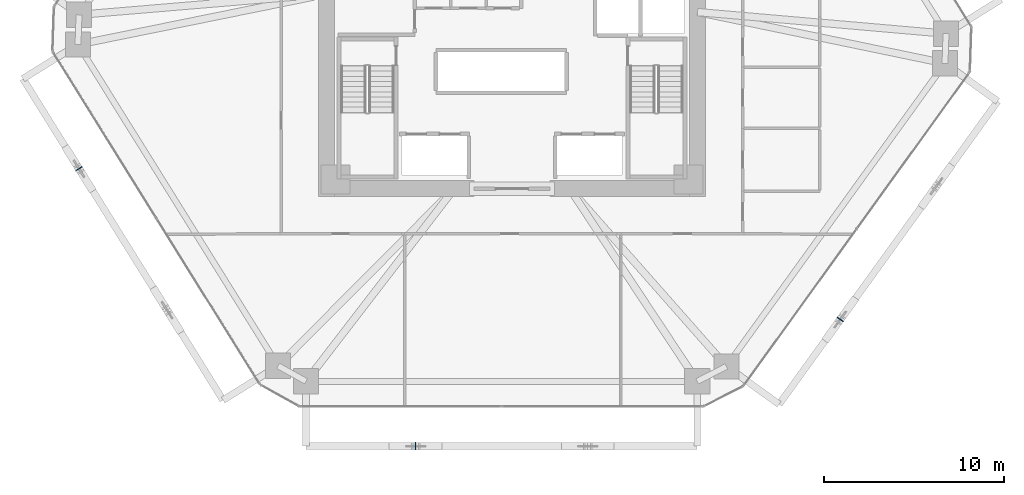
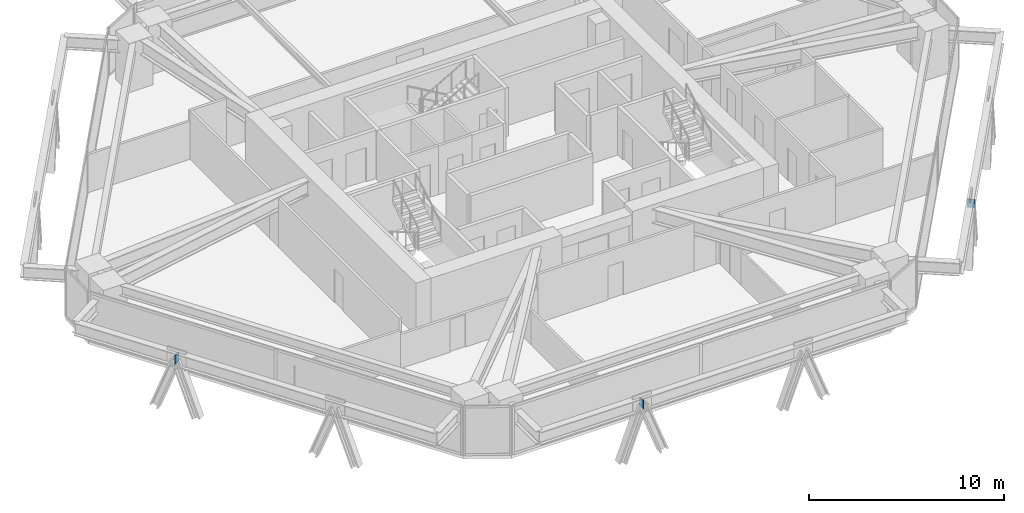
# One storey, part 11 of 16: 3 plates.
"""IFC4 building model written with IfcOpenShell, lengths in metres."""

from ifc_helpers import new_model, si_unit, direction, frame, origin, origin_2d, place, context, subcontext, project, spatial, rectangle, extrude, source, transform, mapped, material, layer, layer_set, type_object, type_shapes, element, save


model = new_model("IFC4")

# Units and contexts
model_context = context("Model", 3, precision=1e-05, world=origin(), true_north=direction((0.0, 1.0)))
body_context = subcontext(model_context, "Body", "Model", "MODEL_VIEW")
ifc_project = project(units=[si_unit("LENGTHUNIT", "METRE"), si_unit("AREAUNIT", "SQUARE_METRE"), si_unit("VOLUMEUNIT", "CUBIC_METRE"), si_unit("PLANEANGLEUNIT", "RADIAN"), si_unit("MASSUNIT", "GRAM", prefix="KILO")], contexts=[model_context])

# Site, building, storey
site_placement = place(None, origin())
site = spatial("IfcSite", under=ifc_project, at=site_placement, CompositionType="ELEMENT")
building_placement = place(site_placement, origin())
building = spatial("IfcBuilding", under=site, at=building_placement, Name="Durnholm Broadcast Tower", CompositionType="ELEMENT")
storey_placement = place(building_placement, frame((0.0, 0.0, 65.39990234375)))
storey = spatial("IfcBuildingStorey", under=building, at=storey_placement, Name="L16", CompositionType="ELEMENT", Elevation=65.39990234375)

# Plates
ifc_material = material(Name="Steel ASTM A572 Grade 50", Category="steel")
ifc_layer = layer(ifc_material, 0.044921875)
ifc_layer_set = layer_set([ifc_layer], Name="Steel ASTM A572 Grade 50")
plate_type = type_object("IfcPlateType", Name="PLT-KN-STIF", PredefinedType="SHEET", material=ifc_layer_set)
shared_shape = source(origin(), body_context, "Body", "SweptSolid", [
    extrude(rectangle(XDim=0.044921875, YDim=0.419921875, at=origin_2d()), origin(), (0.0, 0.0, 1.0), 0.52001953125),
])
type_shapes(plate_type, [shared_shape])
for number, where, z_axis, x_axis, name in (
    (1, (-5.351318359375, -22.60009765625, 2.048583984375), (0.0, 0.0, 1.0), (1.0, 0.0, 0.0), "L16 welded diagrid node stiffener plate F1"),
    (2, (18.223388671875, -15.56396484375, 2.048583984375), (0.0, 0.0, 1.0), (0.584816108738, 0.81116590101, 0.0), "L16 welded diagrid node stiffener plate F2"),
    (3, (-24.036376953125, -7.197509765625, 2.048583984375), (0.0, 0.0, 1.0), (0.528586500185, -0.848879444811, 0.0), "L16 welded diagrid node stiffener plate F6"),
):
    element("IfcPlate", number, at=place(storey_placement, frame(where, z_axis=z_axis, x_axis=x_axis)), inside=storey, type_object=plate_type, Name=name, PredefinedType="SHEET", context=body_context, shape_type="MappedRepresentation", body=[
        mapped(shared_shape, transform((0.0, 0.0, 0.0), x_axis=(1.0, 0.0, 0.0), y_axis=(0.0, 1.0, 0.0), z_axis=(0.0, 0.0, 1.0), scale=1.0)),
    ])

save(model, "model.ifc")
